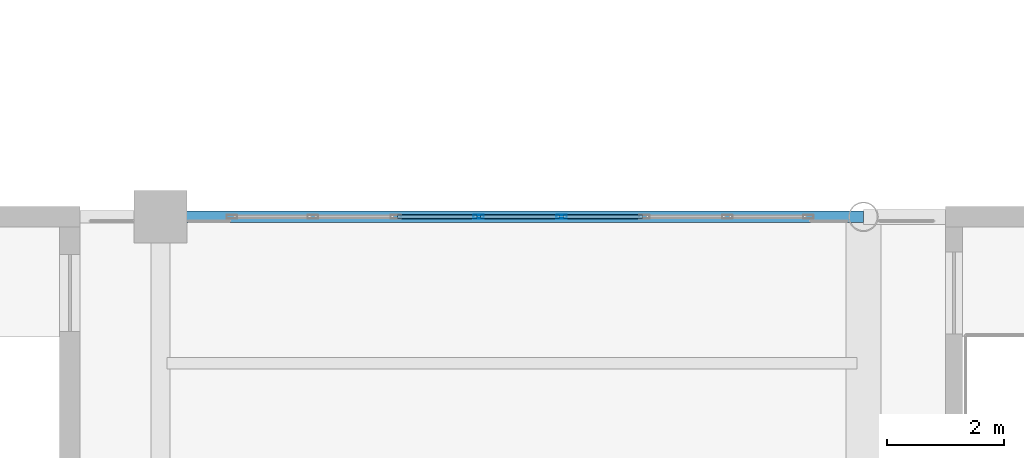
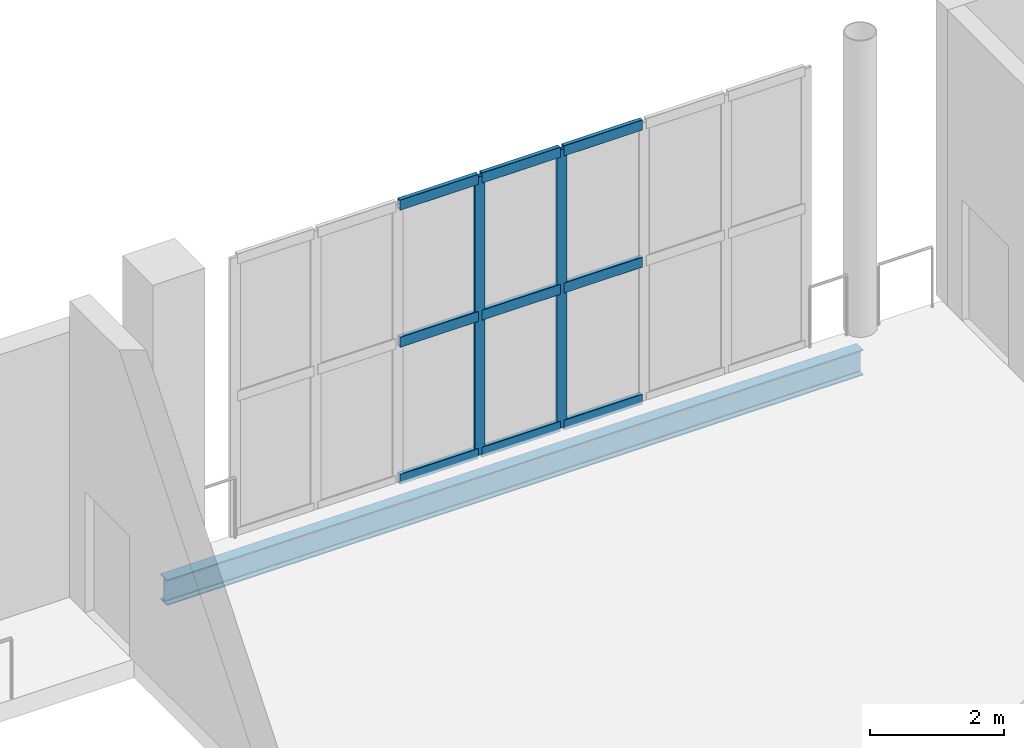
# One storey, part 27 of 74: 11 members, 1 beam, 1 element without a shape of its own.
"""IFC4 building model written with IfcOpenShell, lengths in metres."""

import ifcopenshell
import ifcopenshell.guid

model = None  # the IFC model being written
_history = None  # IfcOwnerHistory: only IFC2X3 demands one
_inside = {}  # id of a spatial element -> (the spatial element, [elements in it])
_under = {}  # id of a project, library or spatial element -> (it, [spatial elements below it])
_declared = {}  # id of a project -> (the project, [libraries it declares])
_typed = {}  # id of a type object -> (the type object, [elements of that type])
_made_of = {}  # id of a material, layer set ... -> (it, [elements and type objects made of it])


def new_model(schema):
    """Start an empty IFC model of exactly this schema.

    Asked for "IFC4X3", IfcOpenShell would pick the latest addendum, in which some entities
    have other attributes; the version numbers below select the first issue.
    IFC2X3 requires an IfcOwnerHistory on every rooted entity: one is made here for all.
    """
    global model, _history
    if schema == "IFC4X3":
        model = ifcopenshell.file(schema_version=(4, 3, 0, 0))
    else:
        model = ifcopenshell.file(schema=schema)
    _inside.clear()
    _under.clear()
    _declared.clear()
    _typed.clear()
    _made_of.clear()
    _history = None
    if model.schema == "IFC2X3":
        org = make("IfcOrganization", Name="unknown")
        user = make(
            "IfcPersonAndOrganization",
            ThePerson=make("IfcPerson", FamilyName="unknown"),
            TheOrganization=org,
        )
        app = make(
            "IfcApplication",
            ApplicationDeveloper=org,
            Version="unknown",
            ApplicationFullName="unknown",
            ApplicationIdentifier="unknown",
        )
        _history = make(
            "IfcOwnerHistory",
            OwningUser=user,
            OwningApplication=app,
            ChangeAction="ADDED",
            CreationDate=0,
        )
    return model


def make(cls, **values):
    """One entity of the class cls with the attributes given. An attribute that is None is left unset."""
    return model.create_entity(
        cls, **{name: value for name, value in values.items() if value is not None}
    )


def rooted(cls, **values):
    """An entity with a GlobalId (a new one), such as an element, a storey or a relation."""
    return make(cls, GlobalId=ifcopenshell.guid.new(), OwnerHistory=_history, **values)


def si_unit(unit_type, name, prefix=None):
    """IfcSIUnit, for example si_unit("LENGTHUNIT", "METRE", prefix="MILLI")."""
    return make("IfcSIUnit", UnitType=unit_type, Prefix=prefix, Name=name)


def assignment(units):
    """IfcUnitAssignment: the units of a project."""
    return None if units is None else make("IfcUnitAssignment", Units=units)


def point(xyz):
    """IfcCartesianPoint."""
    return None if xyz is None else make("IfcCartesianPoint", Coordinates=xyz)


def direction(xyz):
    """IfcDirection."""
    return None if xyz is None else make("IfcDirection", DirectionRatios=xyz)


def frame(location, z_axis=None, x_axis=None):
    """IfcAxis2Placement3D, a coordinate frame: its origin and axes. An axis left out is left unset."""
    return make(
        "IfcAxis2Placement3D",
        Location=point(location),
        Axis=direction(z_axis),
        RefDirection=direction(x_axis),
    )


def frame_2d(location, x_axis=None):
    """IfcAxis2Placement2D, a coordinate frame in the plane: its origin and x axis."""
    return make(
        "IfcAxis2Placement2D", Location=point(location), RefDirection=direction(x_axis)
    )


def origin():
    """The frame at (0, 0, 0) with its axes left unset."""
    return frame((0.0, 0.0, 0.0))


def origin_2d():
    """The frame at (0, 0) in the plane with its x axis left unset."""
    return frame_2d((0.0, 0.0))


def place(relative_to, where):
    """IfcLocalPlacement: puts the frame where relative to a parent placement (None: the world)."""
    return make(
        "IfcLocalPlacement", PlacementRelTo=relative_to, RelativePlacement=where
    )


def context(
    kind, dimensions, precision=None, world=None, true_north=None, identifier=None
):
    """IfcGeometricRepresentationContext, for example the 3D "Model" context."""
    return make(
        "IfcGeometricRepresentationContext",
        ContextIdentifier=identifier,
        ContextType=kind,
        CoordinateSpaceDimension=dimensions,
        Precision=precision,
        WorldCoordinateSystem=world,
        TrueNorth=true_north,
    )


def subcontext(parent, identifier, kind, view, scale=None):
    """IfcGeometricRepresentationSubContext, for example "Body" below "Model"."""
    return make(
        "IfcGeometricRepresentationSubContext",
        ContextIdentifier=identifier,
        ContextType=kind,
        ParentContext=parent,
        TargetScale=scale,
        TargetView=view,
    )


def project(units=None, contexts=None):
    """IfcProject with its units and contexts."""
    return rooted(
        "IfcProject",
        Name="project",
        RepresentationContexts=contexts,
        UnitsInContext=assignment(units),
    )


def spatial(cls, under=None, at=None, **own):
    """A site, building, storey or space (cls), placed at a placement, below another one or the project."""
    s = rooted(cls, ObjectPlacement=at, **own)
    if under is not None:
        _under.setdefault(under.id(), (under, []))[1].append(s)
    return s


def profile(cls, at=None, kind="AREA", **sizes):
    """A parametric profile (cls). Its sizes go by their IFC names, for example OverallWidth=200.0."""
    return make(cls, ProfileType=kind, Position=at, **sizes)


def hollow_rectangle(**sizes):
    """IfcRectangleHollowProfileDef."""
    return profile("IfcRectangleHollowProfileDef", **sizes)


def i_section(**sizes):
    """IfcIShapeProfileDef."""
    return profile("IfcIShapeProfileDef", **sizes)


def extrude(swept, where, along, depth):
    """IfcExtrudedAreaSolid: the profile swept, set in the frame where, extruded along a direction by depth."""
    return make(
        "IfcExtrudedAreaSolid",
        SweptArea=swept,
        Position=where,
        ExtrudedDirection=direction(along),
        Depth=depth,
    )


def shape(context_of_items, identifier, shape_type, items):
    """IfcShapeRepresentation: the items that make up one representation, for example the "Body"."""
    return make(
        "IfcShapeRepresentation",
        ContextOfItems=context_of_items,
        RepresentationIdentifier=identifier,
        RepresentationType=shape_type,
        Items=items,
    )


def material(Name=None, Category=None):
    """IfcMaterial."""
    return make("IfcMaterial", Name=Name, Category=Category)


def layer(
    of_material, thickness, ventilated=None, Name=None, Category=None, Priority=None
):
    """IfcMaterialLayer: one layer of a wall or slab, of a material (None: an air gap)."""
    return make(
        "IfcMaterialLayer",
        Material=of_material,
        LayerThickness=thickness,
        IsVentilated=ventilated,
        Name=Name,
        Category=Category,
        Priority=Priority,
    )


def layer_set(layers, Name=None):
    """IfcMaterialLayerSet."""
    return make("IfcMaterialLayerSet", MaterialLayers=layers, LayerSetName=Name)


def material_profile(
    of_material, cross_section, Name=None, Category=None, Priority=None
):
    """IfcMaterialProfile: a cross section and its material."""
    return make(
        "IfcMaterialProfile",
        Name=Name,
        Material=of_material,
        Profile=cross_section,
        Priority=Priority,
        Category=Category,
    )


def profile_set(profiles, Name=None, composite=None):
    """IfcMaterialProfileSet."""
    return make(
        "IfcMaterialProfileSet",
        Name=Name,
        MaterialProfiles=profiles,
        CompositeProfile=composite,
    )


def made_of(thing, what):
    """Note that an element or type object is made of a material, layer set ...; save() writes the relation."""
    if what is not None:
        _made_of.setdefault(what.id(), (what, []))[1].append(thing)
    return thing


def type_object(cls, material=None, **own):
    """A type object (cls), such as IfcWallType, which elements share."""
    return made_of(rooted(cls, **own), material)


def element(
    cls,
    number,
    at=None,
    inside=None,
    cuts=None,
    type_object=None,
    material=None,
    context=None,
    identifier="Body",
    shape_type=None,
    held_by="IfcProductDefinitionShape",
    body=None,
    shapes=None,
    **own,
):
    """One element of the class cls, such as IfcWall. Its Tag is "e" and its number.

    at: its placement. inside: the storey or other place that contains it. cuts: it is an
    opening in that element (IfcRelVoidsElement). A single representation is given by context,
    identifier, shape_type and body (its items); several are given by shapes. held_by: the class
    of the entity that holds the representations. save() writes the other relations.
    """
    e = rooted(cls, Tag="e%d" % number, ObjectPlacement=at, **own)
    if body is not None:
        shapes = [shape(context, identifier, shape_type, body)]
    if shapes is not None:
        e.Representation = make(held_by, Representations=shapes)
    if inside is not None:
        _inside.setdefault(inside.id(), (inside, []))[1].append(e)
    if cuts is not None:
        rooted(
            "IfcRelVoidsElement", RelatingBuildingElement=cuts, RelatedOpeningElement=e
        )
    if type_object is not None:
        _typed.setdefault(type_object.id(), (type_object, []))[1].append(e)
    return made_of(e, material)


def aggregate(whole, parts):
    """IfcRelAggregates: a whole, such as a stair, and the parts it consists of."""
    return rooted("IfcRelAggregates", RelatingObject=whole, RelatedObjects=parts)


def save(model, path):
    """Write the relations noted so far, then the file.

    IfcRelAggregates (storeys below a building ...), IfcRelContainedInSpatialStructure (elements
    in a storey), IfcRelDefinesByType, IfcRelAssociatesMaterial and IfcRelDeclares: one each for
    every whole, place, type object, material and project.
    """
    for whole, parts in _under.values():
        aggregate(whole, parts)
    for where, things in _inside.values():
        rooted(
            "IfcRelContainedInSpatialStructure",
            RelatedElements=things,
            RelatingStructure=where,
        )
    for kind, things in _typed.values():
        rooted("IfcRelDefinesByType", RelatedObjects=things, RelatingType=kind)
    for what, things in _made_of.values():
        rooted("IfcRelAssociatesMaterial", RelatedObjects=things, RelatingMaterial=what)
    for by, libraries in _declared.values():
        rooted("IfcRelDeclares", RelatingContext=by, RelatedDefinitions=libraries)
    model.write(path)


model = new_model("IFC4")

# Units and contexts
model_context = context("Model", 3, precision=1e-05, world=origin(), true_north=direction((0.0, 1.0)))
body_context = subcontext(model_context, "Body", "Model", "MODEL_VIEW")
ifc_project = project(units=[si_unit("LENGTHUNIT", "METRE"), si_unit("AREAUNIT", "SQUARE_METRE"), si_unit("VOLUMEUNIT", "CUBIC_METRE"), si_unit("PLANEANGLEUNIT", "RADIAN"), si_unit("MASSUNIT", "GRAM", prefix="KILO")], contexts=[model_context])

# Site, building, storey
site_placement = place(None, origin())
site = spatial("IfcSite", under=ifc_project, at=site_placement, CompositionType="ELEMENT")
building_placement = place(site_placement, origin())
building = spatial("IfcBuilding", under=site, at=building_placement, Name="Brinegate Civic Arena", CompositionType="ELEMENT")
storey_placement = place(building_placement, frame((0.0, 0.0, 19.199951171875)))
storey = spatial("IfcBuildingStorey", under=building, at=storey_placement, Name="L04", CompositionType="ELEMENT", Elevation=19.199951171875)

# Curtain wall, members
ifc_material_1 = material(Name="Marine grade aluminium", Category="aluminium")
ifc_layer = layer(ifc_material_1, 0.199951171875, Name="Marine grade aluminium")
ifc_layer_set = layer_set([ifc_layer], Name="Marine grade aluminium")
curtain_wall_type = type_object("IfcCurtainWallType", Name="CW-BOWL-GLAZED-01", PredefinedType="USERDEFINED", material=ifc_layer_set)
curtain_wall_placement = place(storey_placement, origin())
curtain_wall = element("IfcCurtainWall", 1, at=curtain_wall_placement, inside=storey, type_object=curtain_wall_type, Name="Curtain Wall CWA-152", ObjectType="GLAZED CURTAIN WALL", PredefinedType="USERDEFINED")
ifc_material_profile_1 = material_profile(ifc_material_1, hollow_rectangle(XDim=0.06494140625, YDim=0.179931640625, WallThickness=0.0048828125, InnerFilletRadius=0.00390625, OuterFilletRadius=0.008056640625, at=origin_2d()), Name="MUL65X180")
ifc_profile_set_1 = profile_set([ifc_material_profile_1], Name="Marine grade aluminium")
member_type_1 = type_object("IfcMemberType", Name="CW-MULLION-65X180", PredefinedType="MULLION", material=ifc_profile_set_1)
member_1_placement = place(storey_placement, frame((149.430908203125, 114.0, 0.0), z_axis=(0.0, 0.0, 1.0), x_axis=(0.0, 1.0, 0.0)))
member_1 = element("IfcMember", 2, at=member_1_placement, type_object=member_type_1, Name="CWA-152 mullion 4", PredefinedType="MULLION", context=body_context, shape_type="SweptSolid", body=[
    extrude(hollow_rectangle(XDim=0.06494140625, YDim=0.179931640625, WallThickness=0.0048828125, InnerFilletRadius=0.00390625, OuterFilletRadius=0.008056640625, at=origin_2d()), origin(), (0.0, 0.0, 1.0), 5.070068359375),
])
member_2_placement = place(storey_placement, frame((150.845947265625, 114.0, 0.0), z_axis=(0.0, 0.0, 1.0), x_axis=(0.0, 1.0, 0.0)))
member_2 = element("IfcMember", 3, at=member_2_placement, type_object=member_type_1, Name="CWA-152 mullion 5", PredefinedType="MULLION", context=body_context, shape_type="SweptSolid", body=[
    extrude(hollow_rectangle(XDim=0.06494140625, YDim=0.179931640625, WallThickness=0.0048828125, InnerFilletRadius=0.00390625, OuterFilletRadius=0.008056640625, at=origin_2d()), origin(), (0.0, 0.0, 1.0), 5.070068359375),
])
ifc_material_profile_2 = material_profile(ifc_material_1, hollow_rectangle(XDim=0.074951171875, YDim=0.18994140625, WallThickness=0.006103515625, InnerFilletRadius=0.00390625, OuterFilletRadius=0.008056640625, at=origin_2d()), Name="TRN75X190")
ifc_profile_set_2 = profile_set([ifc_material_profile_2], Name="Marine grade aluminium")
member_type_2 = type_object("IfcMemberType", Name="CW-TRANSOM-75X190", PredefinedType="USERDEFINED", material=ifc_profile_set_2)
member_3_placement = place(storey_placement, frame((148.048583984375, 114.0, 0.03759765625), z_axis=(1.0, 0.0, 0.0), x_axis=(0.0, 1.0, 0.0)))
member_3 = element("IfcMember", 4, at=member_3_placement, type_object=member_type_2, Name="CWA-152 transom 3.1", ObjectType="TRANSOM", PredefinedType="USERDEFINED", context=body_context, shape_type="SweptSolid", body=[
    extrude(hollow_rectangle(XDim=0.074951171875, YDim=0.18994140625, WallThickness=0.006103515625, InnerFilletRadius=0.00390625, OuterFilletRadius=0.008056640625, at=origin_2d()), origin(), (0.0, 0.0, 1.0), 1.349853515625),
])
member_4_placement = place(storey_placement, frame((148.048583984375, 114.0, 2.53515625), z_axis=(1.0, 0.0, 0.0), x_axis=(0.0, 1.0, 0.0)))
member_4 = element("IfcMember", 5, at=member_4_placement, type_object=member_type_2, Name="CWA-152 transom 3.2", ObjectType="TRANSOM", PredefinedType="USERDEFINED", context=body_context, shape_type="SweptSolid", body=[
    extrude(hollow_rectangle(XDim=0.074951171875, YDim=0.18994140625, WallThickness=0.006103515625, InnerFilletRadius=0.00390625, OuterFilletRadius=0.008056640625, at=origin_2d()), origin(), (0.0, 0.0, 1.0), 1.349853515625),
])
member_5_placement = place(storey_placement, frame((148.048583984375, 114.0, 5.032470703125), z_axis=(1.0, 0.0, 0.0), x_axis=(0.0, 1.0, 0.0)))
member_5 = element("IfcMember", 6, at=member_5_placement, type_object=member_type_2, Name="CWA-152 transom 3.3", ObjectType="TRANSOM", PredefinedType="USERDEFINED", context=body_context, shape_type="SweptSolid", body=[
    extrude(hollow_rectangle(XDim=0.074951171875, YDim=0.18994140625, WallThickness=0.006103515625, InnerFilletRadius=0.00390625, OuterFilletRadius=0.008056640625, at=origin_2d()), origin(), (0.0, 0.0, 1.0), 1.349853515625),
])
member_6_placement = place(storey_placement, frame((149.46337890625, 114.0, 0.03759765625), z_axis=(1.0, 0.0, 0.0), x_axis=(0.0, 1.0, 0.0)))
member_6 = element("IfcMember", 7, at=member_6_placement, type_object=member_type_2, Name="CWA-152 transom 4.1", ObjectType="TRANSOM", PredefinedType="USERDEFINED", context=body_context, shape_type="SweptSolid", body=[
    extrude(hollow_rectangle(XDim=0.074951171875, YDim=0.18994140625, WallThickness=0.006103515625, InnerFilletRadius=0.00390625, OuterFilletRadius=0.008056640625, at=origin_2d()), origin(), (0.0, 0.0, 1.0), 1.35009765625),
])
member_7_placement = place(storey_placement, frame((149.46337890625, 114.0, 2.53515625), z_axis=(1.0, 0.0, 0.0), x_axis=(0.0, 1.0, 0.0)))
member_7 = element("IfcMember", 8, at=member_7_placement, type_object=member_type_2, Name="CWA-152 transom 4.2", ObjectType="TRANSOM", PredefinedType="USERDEFINED", context=body_context, shape_type="SweptSolid", body=[
    extrude(hollow_rectangle(XDim=0.074951171875, YDim=0.18994140625, WallThickness=0.006103515625, InnerFilletRadius=0.00390625, OuterFilletRadius=0.008056640625, at=origin_2d()), origin(), (0.0, 0.0, 1.0), 1.35009765625),
])
member_8_placement = place(storey_placement, frame((149.46337890625, 114.0, 5.032470703125), z_axis=(1.0, 0.0, 0.0), x_axis=(0.0, 1.0, 0.0)))
member_8 = element("IfcMember", 9, at=member_8_placement, type_object=member_type_2, Name="CWA-152 transom 4.3", ObjectType="TRANSOM", PredefinedType="USERDEFINED", context=body_context, shape_type="SweptSolid", body=[
    extrude(hollow_rectangle(XDim=0.074951171875, YDim=0.18994140625, WallThickness=0.006103515625, InnerFilletRadius=0.00390625, OuterFilletRadius=0.008056640625, at=origin_2d()), origin(), (0.0, 0.0, 1.0), 1.35009765625),
])
member_9_placement = place(storey_placement, frame((150.87841796875, 114.0, 0.03759765625), z_axis=(1.0, 0.0, 0.0), x_axis=(0.0, 1.0, 0.0)))
member_9 = element("IfcMember", 10, at=member_9_placement, type_object=member_type_2, Name="CWA-152 transom 5.1", ObjectType="TRANSOM", PredefinedType="USERDEFINED", context=body_context, shape_type="SweptSolid", body=[
    extrude(hollow_rectangle(XDim=0.074951171875, YDim=0.18994140625, WallThickness=0.006103515625, InnerFilletRadius=0.00390625, OuterFilletRadius=0.008056640625, at=origin_2d()), origin(), (0.0, 0.0, 1.0), 1.35009765625),
])
member_10_placement = place(storey_placement, frame((150.87841796875, 114.0, 2.53515625), z_axis=(1.0, 0.0, 0.0), x_axis=(0.0, 1.0, 0.0)))
member_10 = element("IfcMember", 11, at=member_10_placement, type_object=member_type_2, Name="CWA-152 transom 5.2", ObjectType="TRANSOM", PredefinedType="USERDEFINED", context=body_context, shape_type="SweptSolid", body=[
    extrude(hollow_rectangle(XDim=0.074951171875, YDim=0.18994140625, WallThickness=0.006103515625, InnerFilletRadius=0.00390625, OuterFilletRadius=0.008056640625, at=origin_2d()), origin(), (0.0, 0.0, 1.0), 1.35009765625),
])
member_11_placement = place(storey_placement, frame((150.87841796875, 114.0, 5.032470703125), z_axis=(1.0, 0.0, 0.0), x_axis=(0.0, 1.0, 0.0)))
member_11 = element("IfcMember", 12, at=member_11_placement, type_object=member_type_2, Name="CWA-152 transom 5.3", ObjectType="TRANSOM", PredefinedType="USERDEFINED", context=body_context, shape_type="SweptSolid", body=[
    extrude(hollow_rectangle(XDim=0.074951171875, YDim=0.18994140625, WallThickness=0.006103515625, InnerFilletRadius=0.00390625, OuterFilletRadius=0.008056640625, at=origin_2d()), origin(), (0.0, 0.0, 1.0), 1.35009765625),
])
aggregate(curtain_wall, [member_1, member_2, member_3, member_4, member_5, member_6, member_7, member_8, member_9, member_10, member_11])

# Beam
ifc_material_2 = material(Name="Steel S355", Category="steel")
ifc_material_profile_3 = material_profile(ifc_material_2, i_section(OverallWidth=0.193115234375, OverallDepth=0.466064453125, WebThickness=0.010986328125, FlangeThickness=0.01904296875, FilletRadius=0.014892578125, at=origin_2d()), Name="W460X97")
ifc_profile_set_3 = profile_set([ifc_material_profile_3], Name="Steel S355")
beam_type = type_object("IfcBeamType", Name="SPANDREL-W460X97", PredefinedType="SPANDREL", material=ifc_profile_set_3)
beam_placement = place(storey_placement, frame((144.0, 114.0, -0.572998046875), z_axis=(1.0, 0.0, 0.0), x_axis=(0.0, 1.0, 0.0)))
element("IfcBeam", 13, at=beam_placement, inside=storey, type_object=beam_type, Name="Floor Girder BM-L04-GX-12-11", PredefinedType="SPANDREL", context=body_context, shape_type="SweptSolid", body=[
    extrude(i_section(OverallWidth=0.193115234375, OverallDepth=0.466064453125, WebThickness=0.010986328125, FlangeThickness=0.01904296875, FilletRadius=0.014892578125, at=origin_2d()), origin(), (0.0, 0.0, 1.0), 12.0),
])

save(model, "model.ifc")
